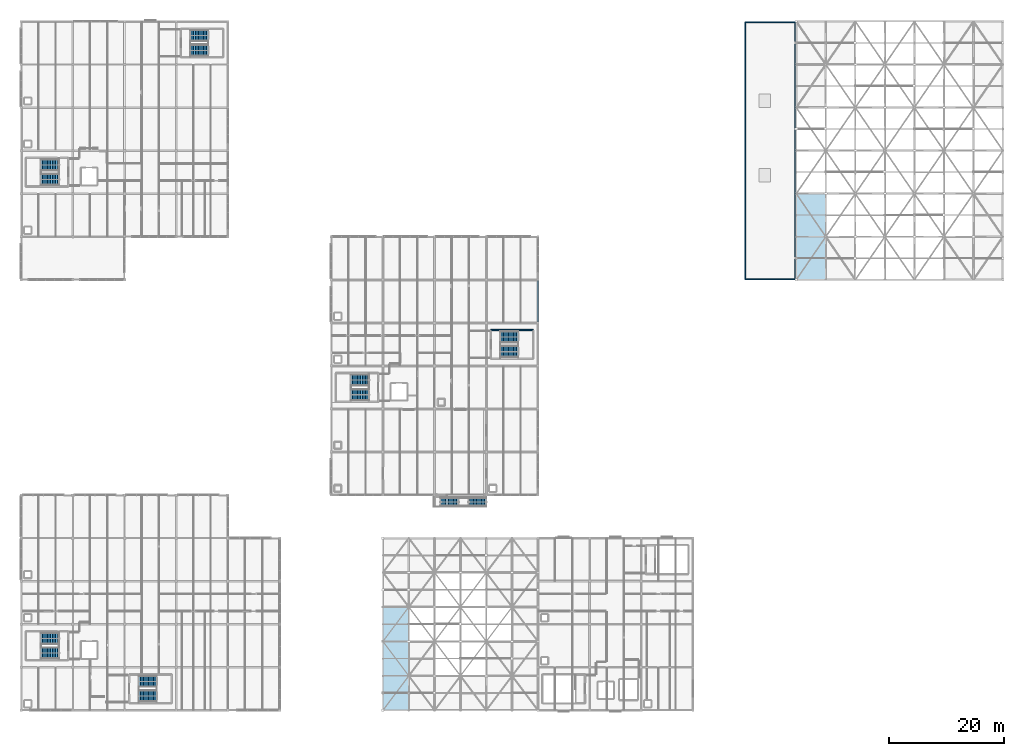
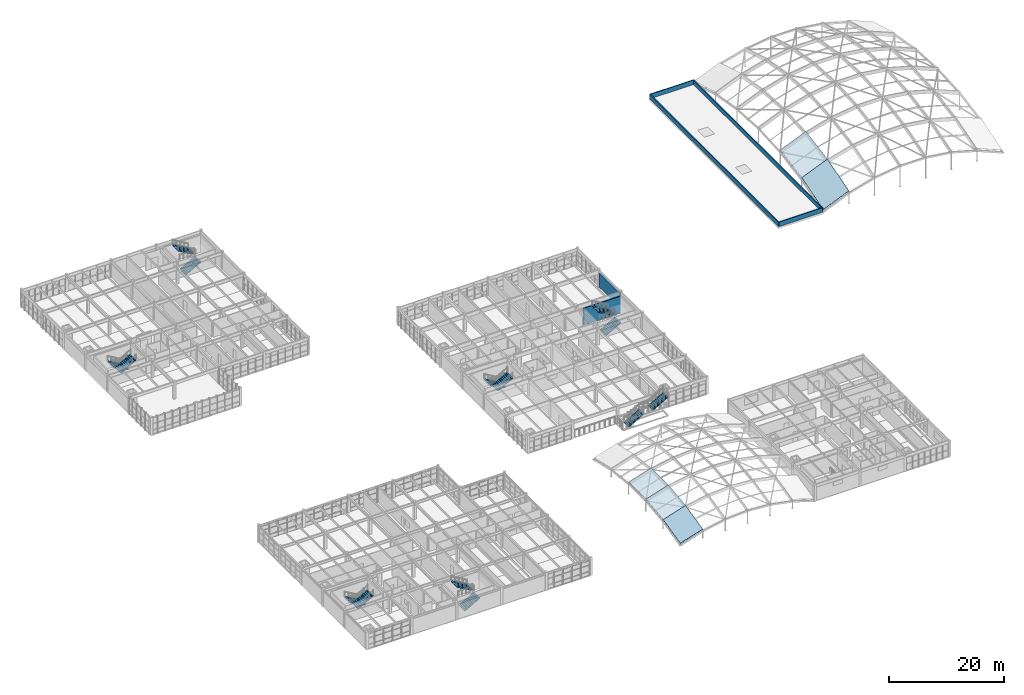
# One storey, part 78 of 81: 14 stair flights, 6 walls, 5 roofs, 7 elements without a shape of their own.
"""IFC4 building model written with IfcOpenShell, lengths in metres."""

from ifc_helpers import new_model, si_unit, direction, frame, frame_2d, origin, place, context, subcontext, project, spatial, polyline, rectangle, outline, extrude, material, layer, layer_set, type_object, element, aggregate, save


model = new_model("IFC4")

# Units and contexts
model_context = context("Model", 3, precision=1e-05, world=origin(), true_north=direction((0.0, 1.0)))
body_context = subcontext(model_context, "Body", "Model", "MODEL_VIEW")
ifc_project = project(units=[si_unit("LENGTHUNIT", "METRE"), si_unit("AREAUNIT", "SQUARE_METRE"), si_unit("VOLUMEUNIT", "CUBIC_METRE"), si_unit("PLANEANGLEUNIT", "RADIAN"), si_unit("MASSUNIT", "GRAM", prefix="KILO")], contexts=[model_context])

# Site, building, storey
site_placement = place(None, origin())
site = spatial("IfcSite", under=ifc_project, at=site_placement, CompositionType="ELEMENT")
building_placement = place(site_placement, origin())
building = spatial("IfcBuilding", under=site, at=building_placement, Name="Marnridge Secondary College", CompositionType="ELEMENT")
storey_placement = place(building_placement, frame((0.0, 0.0, 8.5)))
storey = spatial("IfcBuildingStorey", under=building, at=storey_placement, Name="L02", CompositionType="ELEMENT", Elevation=8.5)

# Walls
ifc_material_1 = material(Name="Concrete C40/50 (AS 3600 N40, 40 MPa)", Category="concrete")
ifc_layer_1 = layer(ifc_material_1, 0.199951171875)
ifc_layer_set_1 = layer_set([ifc_layer_1], Name="WT-CORE-RC200")
wall_type_1 = type_object("IfcWallType", Name="WT-CORE-RC200", PredefinedType="SHEAR", material=ifc_layer_set_1)
wall_1_placement = place(storey_placement, frame((89.199951171875, 66.25, 0.0), z_axis=(0.0, 0.0, 1.0), x_axis=(-1.0, 0.0, 0.0)))
element("IfcWall", 1, at=wall_1_placement, inside=storey, type_object=wall_type_1, Name="Stair core shear wall WC-L02-0283", PredefinedType="SHEAR", context=body_context, shape_type="SweptSolid", body=[
    extrude(rectangle(XDim=7.39990234375, YDim=0.199951171875, at=frame_2d((3.699951171875, 0.0))), origin(), (0.0, 0.0, 1.0), 3.570068359375),
])
ifc_material_2 = material(Name="Cross-laminated timber CL5", Category="wood")
ifc_layer_2 = layer(ifc_material_2, 0.239990234375)
ifc_layer_set_2 = layer_set([ifc_layer_2], Name="WT-EXT-CLT240")
wall_type_2 = type_object("IfcWallType", Name="WT-EXT-CLT240", PredefinedType="SOLIDWALL", material=ifc_layer_set_2)
wall_2_placement = place(storey_placement, frame((90.0, 74.803955078125, 0.0), z_axis=(0.0, 0.0, 1.0), x_axis=(0.0, -1.0, 0.0)))
element("IfcWall", 2, at=wall_2_placement, inside=storey, type_object=wall_type_2, Name="Exterior wall WE-L02-0127", PredefinedType="SOLIDWALL", context=body_context, shape_type="SweptSolid", body=[
    extrude(rectangle(XDim=7.0830078125, YDim=0.239990234375, at=frame_2d((3.54150390625, 0.0))), origin(), (0.0, 0.0, 1.0), 2.97705078125),
])
ifc_material_3 = material(Name="Precast concrete C40/50 (AS 3600 N40, 40 MPa)", Category="concrete")
ifc_layer_3 = layer(ifc_material_3, 0.179931640625)
ifc_layer_set_3 = layer_set([ifc_layer_3], Name="WT-PAR-RC180")
wall_type_3 = type_object("IfcWallType", Name="WT-PAR-RC180", PredefinedType="PARAPET", material=ifc_layer_set_3)
for number, where, z_axis, x_axis, name in (
    (3, (126.10009765625, 119.8798828125, 0.0), (0.0, 0.0, 1.0), (1.0, 0.0, 0.0), "Roof parapet WP-001"),
    (4, (134.89990234375, 75.1201171875, 0.0), (0.0, 0.0, 1.0), (-1.0, 0.0, 0.0), "Roof parapet WP-003"),
):
    element("IfcWall", number, at=place(storey_placement, frame(where, z_axis=z_axis, x_axis=x_axis)), inside=storey, type_object=wall_type_3, Name=name, PredefinedType="PARAPET", context=body_context, shape_type="SweptSolid", body=[
        extrude(rectangle(XDim=8.7998046875, YDim=0.179931640625, at=frame_2d((4.39990234375, 0.0))), origin(), (0.0, 0.0, 1.0), 0.949951171875),
    ])
ifc_material_4 = material(Name="Precast concrete C40/50 (AS 3600 N40, 40 MPa)", Category="concrete")
ifc_layer_4 = layer(ifc_material_4, 0.199951171875)
ifc_layer_set_4 = layer_set([ifc_layer_4], Name="WT-PAR-RC200")
wall_type_4 = type_object("IfcWallType", Name="WT-PAR-RC200", PredefinedType="PARAPET", material=ifc_layer_set_4)
for number, where, z_axis, x_axis, name in (
    (5, (134.8798828125, 119.89990234375, 0.0), (0.0, 0.0, 1.0), (0.0, -1.0, 0.0), "Roof parapet WP-002"),
    (6, (126.1201171875, 75.10009765625, 0.0), (0.0, 0.0, 1.0), (0.0, 1.0, 0.0), "Roof parapet WP-004"),
):
    element("IfcWall", number, at=place(storey_placement, frame(where, z_axis=z_axis, x_axis=x_axis)), inside=storey, type_object=wall_type_4, Name=name, PredefinedType="PARAPET", context=body_context, shape_type="SweptSolid", body=[
        extrude(rectangle(XDim=44.7998046875, YDim=0.199951171875, at=frame_2d((22.39990234375, 0.0))), origin(), (0.0, 0.0, 1.0), 0.949951171875),
    ])

# Stair, stair flights
ifc_material_5 = material(Name="Concrete C40/50 (AS 3600 N40, 40 MPa)", Category="concrete")
stair_type_1 = type_object("IfcStairType", Name="STC1", PredefinedType="HALF_TURN_STAIR", material=ifc_material_5)
stair_1_placement = place(storey_placement, origin())
stair_1 = element("IfcStair", 7, at=stair_1_placement, inside=storey, type_object=stair_type_1, Name="Fire-isolated stair ST-01-L02", PredefinedType="HALF_TURN_STAIR")
ifc_material_6 = material(Name="Concrete C40/50 (AS 3600 N40, 40 MPa)", Category="concrete")
stair_flight_type_1 = type_object("IfcStairFlightType", Name="SFC1", PredefinedType="STRAIGHT", material=ifc_material_6)
stair_flight_1_placement = place(storey_placement, frame((60.550048828125, 57.530029296875, 0.0), z_axis=(0.0, 0.0, 1.0), x_axis=(-1.0, 0.0, 0.0)))
stair_flight_1 = element("IfcStairFlight", 8, at=stair_flight_1_placement, type_object=stair_flight_type_1, Name="ST-01-L02 flight 1", NumberOfRisers=12, NumberOfTreads=11, PredefinedType="STRAIGHT", RiserHeight=0.158333333, TreadLength=0.285, context=body_context, shape_type="SweptSolid", body=[
    extrude(outline(polyline([(0.0, 0.0), (0.0, 0.158447265625), (0.284912109375, 0.158447265625), (0.284912109375, 0.316650390625), (0.570068359375, 0.316650390625), (0.570068359375, 0.47509765625), (0.85498046875, 0.47509765625), (0.85498046875, 0.63330078125), (1.139892578125, 0.63330078125), (1.139892578125, 0.791748046875), (1.425048828125, 0.791748046875), (1.425048828125, 0.949951171875), (1.7099609375, 0.949951171875), (1.7099609375, 1.1083984375), (1.9951171875, 1.1083984375), (1.9951171875, 1.2666015625), (2.280029296875, 1.2666015625), (2.280029296875, 1.425048828125), (2.56494140625, 1.425048828125), (2.56494140625, 1.583251953125), (2.85009765625, 1.583251953125), (2.85009765625, 1.74169921875), (3.135009765625, 1.74169921875), (3.135009765625, 1.89990234375), (3.135009765625, 1.535888671875), (0.37060546875, 0.0), (0.0, 0.0)])), frame((0.0, 1.0, 0.0), z_axis=(0.0, -1.0, 0.0), x_axis=(1.0, 0.0, 0.0)), (0.0, 0.0, 1.0), 2.0),
])
stair_flight_2_placement = place(storey_placement, frame((57.4150390625, 54.969970703125, 1.89990234375), z_axis=(0.0, 0.0, 1.0), x_axis=(1.0, 0.0, 0.0)))
stair_flight_2 = element("IfcStairFlight", 9, at=stair_flight_2_placement, type_object=stair_flight_type_1, Name="ST-01-L02 flight 2", NumberOfRisers=12, NumberOfTreads=11, PredefinedType="STRAIGHT", RiserHeight=0.158333333, TreadLength=0.285, context=body_context, shape_type="SweptSolid", body=[
    extrude(outline(polyline([(0.0, 0.0), (0.0, 0.158447265625), (0.284912109375, 0.158447265625), (0.284912109375, 0.316650390625), (0.570068359375, 0.316650390625), (0.570068359375, 0.47509765625), (0.85498046875, 0.47509765625), (0.85498046875, 0.63330078125), (1.139892578125, 0.63330078125), (1.139892578125, 0.791748046875), (1.425048828125, 0.791748046875), (1.425048828125, 0.949951171875), (1.7099609375, 0.949951171875), (1.7099609375, 1.1083984375), (1.9951171875, 1.1083984375), (1.9951171875, 1.2666015625), (2.280029296875, 1.2666015625), (2.280029296875, 1.425048828125), (2.56494140625, 1.425048828125), (2.56494140625, 1.583251953125), (2.85009765625, 1.583251953125), (2.85009765625, 1.74169921875), (3.135009765625, 1.74169921875), (3.135009765625, 1.89990234375), (3.135009765625, 1.535888671875), (0.37060546875, 0.0), (0.0, 0.0)])), frame((0.0, 1.0, 0.0), z_axis=(0.0, -1.0, 0.0), x_axis=(1.0, 0.0, 0.0)), (0.0, 0.0, 1.0), 2.0),
])
aggregate(stair_1, [stair_flight_1, stair_flight_2])

stair_2_placement = place(storey_placement, origin())
stair_2 = element("IfcStair", 10, at=stair_2_placement, inside=storey, type_object=stair_type_1, Name="Fire-isolated stair ST-02-L02", PredefinedType="HALF_TURN_STAIR")
stair_flight_3_placement = place(storey_placement, frame((83.449951171875, 62.469970703125, 0.0), z_axis=(0.0, 0.0, 1.0), x_axis=(1.0, 0.0, 0.0)))
stair_flight_3 = element("IfcStairFlight", 11, at=stair_flight_3_placement, type_object=stair_flight_type_1, Name="ST-02-L02 flight 1", NumberOfRisers=12, NumberOfTreads=11, PredefinedType="STRAIGHT", RiserHeight=0.158333333, TreadLength=0.285, context=body_context, shape_type="SweptSolid", body=[
    extrude(outline(polyline([(0.0, 0.0), (0.0, 0.158447265625), (0.284912109375, 0.158447265625), (0.284912109375, 0.316650390625), (0.570068359375, 0.316650390625), (0.570068359375, 0.47509765625), (0.85498046875, 0.47509765625), (0.85498046875, 0.63330078125), (1.139892578125, 0.63330078125), (1.139892578125, 0.791748046875), (1.425048828125, 0.791748046875), (1.425048828125, 0.949951171875), (1.7099609375, 0.949951171875), (1.7099609375, 1.1083984375), (1.9951171875, 1.1083984375), (1.9951171875, 1.2666015625), (2.280029296875, 1.2666015625), (2.280029296875, 1.425048828125), (2.56494140625, 1.425048828125), (2.56494140625, 1.583251953125), (2.85009765625, 1.583251953125), (2.85009765625, 1.74169921875), (3.135009765625, 1.74169921875), (3.135009765625, 1.89990234375), (3.135009765625, 1.535888671875), (0.37060546875, 0.0), (0.0, 0.0)])), frame((0.0, 1.0, 0.0), z_axis=(0.0, -1.0, 0.0), x_axis=(1.0, 0.0, 0.0)), (0.0, 0.0, 1.0), 2.0),
])
stair_flight_4_placement = place(storey_placement, frame((86.5849609375, 65.030029296875, 1.89990234375), z_axis=(0.0, 0.0, 1.0), x_axis=(-1.0, 0.0, 0.0)))
stair_flight_4 = element("IfcStairFlight", 12, at=stair_flight_4_placement, type_object=stair_flight_type_1, Name="ST-02-L02 flight 2", NumberOfRisers=12, NumberOfTreads=11, PredefinedType="STRAIGHT", RiserHeight=0.158333333, TreadLength=0.285, context=body_context, shape_type="SweptSolid", body=[
    extrude(outline(polyline([(0.0, 0.0), (0.0, 0.158447265625), (0.284912109375, 0.158447265625), (0.284912109375, 0.316650390625), (0.570068359375, 0.316650390625), (0.570068359375, 0.47509765625), (0.85498046875, 0.47509765625), (0.85498046875, 0.63330078125), (1.139892578125, 0.63330078125), (1.139892578125, 0.791748046875), (1.425048828125, 0.791748046875), (1.425048828125, 0.949951171875), (1.7099609375, 0.949951171875), (1.7099609375, 1.1083984375), (1.9951171875, 1.1083984375), (1.9951171875, 1.2666015625), (2.280029296875, 1.2666015625), (2.280029296875, 1.425048828125), (2.56494140625, 1.425048828125), (2.56494140625, 1.583251953125), (2.85009765625, 1.583251953125), (2.85009765625, 1.74169921875), (3.135009765625, 1.74169921875), (3.135009765625, 1.89990234375), (3.135009765625, 1.535888671875), (0.37060546875, 0.0), (0.0, 0.0)])), frame((0.0, 1.0, 0.0), z_axis=(0.0, -1.0, 0.0), x_axis=(1.0, 0.0, 0.0)), (0.0, 0.0, 1.0), 2.0),
])
aggregate(stair_2, [stair_flight_3, stair_flight_4])

stair_3_placement = place(storey_placement, origin())
stair_3 = element("IfcStair", 13, at=stair_3_placement, inside=storey, type_object=stair_type_1, Name="Fire-isolated stair ST-03-L02", PredefinedType="HALF_TURN_STAIR")
stair_flight_5_placement = place(storey_placement, frame((6.550048828125, 12.530029296875, 0.0), z_axis=(0.0, 0.0, 1.0), x_axis=(-1.0, 0.0, 0.0)))
stair_flight_5 = element("IfcStairFlight", 14, at=stair_flight_5_placement, type_object=stair_flight_type_1, Name="ST-03-L02 flight 1", NumberOfRisers=12, NumberOfTreads=11, PredefinedType="STRAIGHT", RiserHeight=0.158333333, TreadLength=0.285, context=body_context, shape_type="SweptSolid", body=[
    extrude(outline(polyline([(0.0, 0.0), (0.0, 0.158447265625), (0.284912109375, 0.158447265625), (0.284912109375, 0.316650390625), (0.570068359375, 0.316650390625), (0.570068359375, 0.47509765625), (0.85498046875, 0.47509765625), (0.85498046875, 0.63330078125), (1.139892578125, 0.63330078125), (1.139892578125, 0.791748046875), (1.425048828125, 0.791748046875), (1.425048828125, 0.949951171875), (1.7099609375, 0.949951171875), (1.7099609375, 1.1083984375), (1.9951171875, 1.1083984375), (1.9951171875, 1.2666015625), (2.280029296875, 1.2666015625), (2.280029296875, 1.425048828125), (2.56494140625, 1.425048828125), (2.56494140625, 1.583251953125), (2.85009765625, 1.583251953125), (2.85009765625, 1.74169921875), (3.135009765625, 1.74169921875), (3.135009765625, 1.89990234375), (3.135009765625, 1.535888671875), (0.37060546875, 0.0), (0.0, 0.0)])), frame((0.0, 1.0, 0.0), z_axis=(0.0, -1.0, 0.0), x_axis=(1.0, 0.0, 0.0)), (0.0, 0.0, 1.0), 2.0),
])
stair_flight_6_placement = place(storey_placement, frame((3.4150390625, 9.969970703125, 1.89990234375), z_axis=(0.0, 0.0, 1.0), x_axis=(1.0, 0.0, 0.0)))
stair_flight_6 = element("IfcStairFlight", 15, at=stair_flight_6_placement, type_object=stair_flight_type_1, Name="ST-03-L02 flight 2", NumberOfRisers=12, NumberOfTreads=11, PredefinedType="STRAIGHT", RiserHeight=0.158333333, TreadLength=0.285, context=body_context, shape_type="SweptSolid", body=[
    extrude(outline(polyline([(0.0, 0.0), (0.0, 0.158447265625), (0.284912109375, 0.158447265625), (0.284912109375, 0.316650390625), (0.570068359375, 0.316650390625), (0.570068359375, 0.47509765625), (0.85498046875, 0.47509765625), (0.85498046875, 0.63330078125), (1.139892578125, 0.63330078125), (1.139892578125, 0.791748046875), (1.425048828125, 0.791748046875), (1.425048828125, 0.949951171875), (1.7099609375, 0.949951171875), (1.7099609375, 1.1083984375), (1.9951171875, 1.1083984375), (1.9951171875, 1.2666015625), (2.280029296875, 1.2666015625), (2.280029296875, 1.425048828125), (2.56494140625, 1.425048828125), (2.56494140625, 1.583251953125), (2.85009765625, 1.583251953125), (2.85009765625, 1.74169921875), (3.135009765625, 1.74169921875), (3.135009765625, 1.89990234375), (3.135009765625, 1.535888671875), (0.37060546875, 0.0), (0.0, 0.0)])), frame((0.0, 1.0, 0.0), z_axis=(0.0, -1.0, 0.0), x_axis=(1.0, 0.0, 0.0)), (0.0, 0.0, 1.0), 2.0),
])
aggregate(stair_3, [stair_flight_5, stair_flight_6])

stair_4_placement = place(storey_placement, origin())
stair_4 = element("IfcStair", 16, at=stair_4_placement, inside=storey, type_object=stair_type_1, Name="Fire-isolated stair ST-04-L02", PredefinedType="HALF_TURN_STAIR")
stair_flight_7_placement = place(storey_placement, frame((20.449951171875, 2.469970703125, 0.0), z_axis=(0.0, 0.0, 1.0), x_axis=(1.0, 0.0, 0.0)))
stair_flight_7 = element("IfcStairFlight", 17, at=stair_flight_7_placement, type_object=stair_flight_type_1, Name="ST-04-L02 flight 1", NumberOfRisers=12, NumberOfTreads=11, PredefinedType="STRAIGHT", RiserHeight=0.158333333, TreadLength=0.285, context=body_context, shape_type="SweptSolid", body=[
    extrude(outline(polyline([(0.0, 0.0), (0.0, 0.158447265625), (0.284912109375, 0.158447265625), (0.284912109375, 0.316650390625), (0.570068359375, 0.316650390625), (0.570068359375, 0.47509765625), (0.85498046875, 0.47509765625), (0.85498046875, 0.63330078125), (1.139892578125, 0.63330078125), (1.139892578125, 0.791748046875), (1.425048828125, 0.791748046875), (1.425048828125, 0.949951171875), (1.7099609375, 0.949951171875), (1.7099609375, 1.1083984375), (1.9951171875, 1.1083984375), (1.9951171875, 1.2666015625), (2.280029296875, 1.2666015625), (2.280029296875, 1.425048828125), (2.56494140625, 1.425048828125), (2.56494140625, 1.583251953125), (2.85009765625, 1.583251953125), (2.85009765625, 1.74169921875), (3.135009765625, 1.74169921875), (3.135009765625, 1.89990234375), (3.135009765625, 1.535888671875), (0.37060546875, 0.0), (0.0, 0.0)])), frame((0.0, 1.0, 0.0), z_axis=(0.0, -1.0, 0.0), x_axis=(1.0, 0.0, 0.0)), (0.0, 0.0, 1.0), 2.0),
])
stair_flight_8_placement = place(storey_placement, frame((23.5849609375, 5.030029296875, 1.89990234375), z_axis=(0.0, 0.0, 1.0), x_axis=(-1.0, 0.0, 0.0)))
stair_flight_8 = element("IfcStairFlight", 18, at=stair_flight_8_placement, type_object=stair_flight_type_1, Name="ST-04-L02 flight 2", NumberOfRisers=12, NumberOfTreads=11, PredefinedType="STRAIGHT", RiserHeight=0.158333333, TreadLength=0.285, context=body_context, shape_type="SweptSolid", body=[
    extrude(outline(polyline([(0.0, 0.0), (0.0, 0.158447265625), (0.284912109375, 0.158447265625), (0.284912109375, 0.316650390625), (0.570068359375, 0.316650390625), (0.570068359375, 0.47509765625), (0.85498046875, 0.47509765625), (0.85498046875, 0.63330078125), (1.139892578125, 0.63330078125), (1.139892578125, 0.791748046875), (1.425048828125, 0.791748046875), (1.425048828125, 0.949951171875), (1.7099609375, 0.949951171875), (1.7099609375, 1.1083984375), (1.9951171875, 1.1083984375), (1.9951171875, 1.2666015625), (2.280029296875, 1.2666015625), (2.280029296875, 1.425048828125), (2.56494140625, 1.425048828125), (2.56494140625, 1.583251953125), (2.85009765625, 1.583251953125), (2.85009765625, 1.74169921875), (3.135009765625, 1.74169921875), (3.135009765625, 1.89990234375), (3.135009765625, 1.535888671875), (0.37060546875, 0.0), (0.0, 0.0)])), frame((0.0, 1.0, 0.0), z_axis=(0.0, -1.0, 0.0), x_axis=(1.0, 0.0, 0.0)), (0.0, 0.0, 1.0), 2.0),
])
aggregate(stair_4, [stair_flight_7, stair_flight_8])

stair_5_placement = place(storey_placement, origin())
stair_5 = element("IfcStair", 19, at=stair_5_placement, inside=storey, type_object=stair_type_1, Name="Fire-isolated stair ST-05-L02", PredefinedType="HALF_TURN_STAIR")
stair_flight_9_placement = place(storey_placement, frame((6.550048828125, 95.030029296875, 0.0), z_axis=(0.0, 0.0, 1.0), x_axis=(-1.0, 0.0, 0.0)))
stair_flight_9 = element("IfcStairFlight", 20, at=stair_flight_9_placement, type_object=stair_flight_type_1, Name="ST-05-L02 flight 1", NumberOfRisers=12, NumberOfTreads=11, PredefinedType="STRAIGHT", RiserHeight=0.158333333, TreadLength=0.285, context=body_context, shape_type="SweptSolid", body=[
    extrude(outline(polyline([(0.0, 0.0), (0.0, 0.158447265625), (0.284912109375, 0.158447265625), (0.284912109375, 0.316650390625), (0.570068359375, 0.316650390625), (0.570068359375, 0.47509765625), (0.85498046875, 0.47509765625), (0.85498046875, 0.63330078125), (1.139892578125, 0.63330078125), (1.139892578125, 0.791748046875), (1.425048828125, 0.791748046875), (1.425048828125, 0.949951171875), (1.7099609375, 0.949951171875), (1.7099609375, 1.1083984375), (1.9951171875, 1.1083984375), (1.9951171875, 1.2666015625), (2.280029296875, 1.2666015625), (2.280029296875, 1.425048828125), (2.56494140625, 1.425048828125), (2.56494140625, 1.583251953125), (2.85009765625, 1.583251953125), (2.85009765625, 1.74169921875), (3.135009765625, 1.74169921875), (3.135009765625, 1.89990234375), (3.135009765625, 1.535888671875), (0.37060546875, 0.0), (0.0, 0.0)])), frame((0.0, 1.0, 0.0), z_axis=(0.0, -1.0, 0.0), x_axis=(1.0, 0.0, 0.0)), (0.0, 0.0, 1.0), 2.0),
])
stair_flight_10_placement = place(storey_placement, frame((3.4150390625, 92.469970703125, 1.89990234375), z_axis=(0.0, 0.0, 1.0), x_axis=(1.0, 0.0, 0.0)))
stair_flight_10 = element("IfcStairFlight", 21, at=stair_flight_10_placement, type_object=stair_flight_type_1, Name="ST-05-L02 flight 2", NumberOfRisers=12, NumberOfTreads=11, PredefinedType="STRAIGHT", RiserHeight=0.158333333, TreadLength=0.285, context=body_context, shape_type="SweptSolid", body=[
    extrude(outline(polyline([(0.0, 0.0), (0.0, 0.158447265625), (0.284912109375, 0.158447265625), (0.284912109375, 0.316650390625), (0.570068359375, 0.316650390625), (0.570068359375, 0.47509765625), (0.85498046875, 0.47509765625), (0.85498046875, 0.63330078125), (1.139892578125, 0.63330078125), (1.139892578125, 0.791748046875), (1.425048828125, 0.791748046875), (1.425048828125, 0.949951171875), (1.7099609375, 0.949951171875), (1.7099609375, 1.1083984375), (1.9951171875, 1.1083984375), (1.9951171875, 1.2666015625), (2.280029296875, 1.2666015625), (2.280029296875, 1.425048828125), (2.56494140625, 1.425048828125), (2.56494140625, 1.583251953125), (2.85009765625, 1.583251953125), (2.85009765625, 1.74169921875), (3.135009765625, 1.74169921875), (3.135009765625, 1.89990234375), (3.135009765625, 1.535888671875), (0.37060546875, 0.0), (0.0, 0.0)])), frame((0.0, 1.0, 0.0), z_axis=(0.0, -1.0, 0.0), x_axis=(1.0, 0.0, 0.0)), (0.0, 0.0, 1.0), 2.0),
])
aggregate(stair_5, [stair_flight_9, stair_flight_10])

stair_6_placement = place(storey_placement, origin())
stair_6 = element("IfcStair", 22, at=stair_6_placement, inside=storey, type_object=stair_type_1, Name="Fire-isolated stair ST-06-L02", PredefinedType="HALF_TURN_STAIR")
stair_flight_11_placement = place(storey_placement, frame((29.449951171875, 114.969970703125, 0.0), z_axis=(0.0, 0.0, 1.0), x_axis=(1.0, 0.0, 0.0)))
stair_flight_11 = element("IfcStairFlight", 23, at=stair_flight_11_placement, type_object=stair_flight_type_1, Name="ST-06-L02 flight 1", NumberOfRisers=12, NumberOfTreads=11, PredefinedType="STRAIGHT", RiserHeight=0.158333333, TreadLength=0.285, context=body_context, shape_type="SweptSolid", body=[
    extrude(outline(polyline([(0.0, 0.0), (0.0, 0.158447265625), (0.284912109375, 0.158447265625), (0.284912109375, 0.316650390625), (0.570068359375, 0.316650390625), (0.570068359375, 0.47509765625), (0.85498046875, 0.47509765625), (0.85498046875, 0.63330078125), (1.139892578125, 0.63330078125), (1.139892578125, 0.791748046875), (1.425048828125, 0.791748046875), (1.425048828125, 0.949951171875), (1.7099609375, 0.949951171875), (1.7099609375, 1.1083984375), (1.9951171875, 1.1083984375), (1.9951171875, 1.2666015625), (2.280029296875, 1.2666015625), (2.280029296875, 1.425048828125), (2.56494140625, 1.425048828125), (2.56494140625, 1.583251953125), (2.85009765625, 1.583251953125), (2.85009765625, 1.74169921875), (3.135009765625, 1.74169921875), (3.135009765625, 1.89990234375), (3.135009765625, 1.535888671875), (0.37060546875, 0.0), (0.0, 0.0)])), frame((0.0, 1.0, 0.0), z_axis=(0.0, -1.0, 0.0), x_axis=(1.0, 0.0, 0.0)), (0.0, 0.0, 1.0), 2.0),
])
stair_flight_12_placement = place(storey_placement, frame((32.5849609375, 117.530029296875, 1.89990234375), z_axis=(0.0, 0.0, 1.0), x_axis=(-1.0, 0.0, 0.0)))
stair_flight_12 = element("IfcStairFlight", 24, at=stair_flight_12_placement, type_object=stair_flight_type_1, Name="ST-06-L02 flight 2", NumberOfRisers=12, NumberOfTreads=11, PredefinedType="STRAIGHT", RiserHeight=0.158333333, TreadLength=0.285, context=body_context, shape_type="SweptSolid", body=[
    extrude(outline(polyline([(0.0, 0.0), (0.0, 0.158447265625), (0.284912109375, 0.158447265625), (0.284912109375, 0.316650390625), (0.570068359375, 0.316650390625), (0.570068359375, 0.47509765625), (0.85498046875, 0.47509765625), (0.85498046875, 0.63330078125), (1.139892578125, 0.63330078125), (1.139892578125, 0.791748046875), (1.425048828125, 0.791748046875), (1.425048828125, 0.949951171875), (1.7099609375, 0.949951171875), (1.7099609375, 1.1083984375), (1.9951171875, 1.1083984375), (1.9951171875, 1.2666015625), (2.280029296875, 1.2666015625), (2.280029296875, 1.425048828125), (2.56494140625, 1.425048828125), (2.56494140625, 1.583251953125), (2.85009765625, 1.583251953125), (2.85009765625, 1.74169921875), (3.135009765625, 1.74169921875), (3.135009765625, 1.89990234375), (3.135009765625, 1.535888671875), (0.37060546875, 0.0), (0.0, 0.0)])), frame((0.0, 1.0, 0.0), z_axis=(0.0, -1.0, 0.0), x_axis=(1.0, 0.0, 0.0)), (0.0, 0.0, 1.0), 2.0),
])
aggregate(stair_6, [stair_flight_11, stair_flight_12])

ifc_material_7 = material(Name="Precast concrete C40/50 (AS 3600 N40, 40 MPa)", Category="concrete")
stair_type_2 = type_object("IfcStairType", Name="STZ1", PredefinedType="STRAIGHT_RUN_STAIR", material=ifc_material_7)
stair_7_placement = place(storey_placement, origin())
stair_7 = element("IfcStair", 25, at=stair_7_placement, inside=storey, type_object=stair_type_2, Name="Exterior terrace stair ST-Z1", PredefinedType="STRAIGHT_RUN_STAIR")
ifc_material_8 = material(Name="Precast concrete C40/50 (AS 3600 N40, 40 MPa)", Category="concrete")
stair_flight_type_2 = type_object("IfcStairFlightType", Name="SFZ1", PredefinedType="STRAIGHT", material=ifc_material_8)
stair_flight_13_placement = place(storey_placement, frame((73.0400390625, 36.300048828125, 0.0), z_axis=(0.0, 0.0, 1.0), x_axis=(1.0, 0.0, 0.0)))
stair_flight_13 = element("IfcStairFlight", 26, at=stair_flight_13_placement, type_object=stair_flight_type_2, Name="ST-Z1 flight 1", NumberOfRisers=12, NumberOfTreads=11, PredefinedType="STRAIGHT", RiserHeight=0.158333333, TreadLength=0.28, context=body_context, shape_type="SweptSolid", body=[
    extrude(outline(polyline([(0.0, 0.0), (0.0, 0.158447265625), (0.280029296875, 0.158447265625), (0.280029296875, 0.316650390625), (0.56005859375, 0.316650390625), (0.56005859375, 0.47509765625), (0.840087890625, 0.47509765625), (0.840087890625, 0.63330078125), (1.1201171875, 0.63330078125), (1.1201171875, 0.791748046875), (1.39990234375, 0.791748046875), (1.39990234375, 0.949951171875), (1.679931640625, 0.949951171875), (1.679931640625, 1.1083984375), (1.9599609375, 1.1083984375), (1.9599609375, 1.2666015625), (2.239990234375, 1.2666015625), (2.239990234375, 1.425048828125), (2.52001953125, 1.425048828125), (2.52001953125, 1.583251953125), (2.800048828125, 1.583251953125), (2.800048828125, 1.74169921875), (3.080078125, 1.74169921875), (3.080078125, 1.89990234375), (3.080078125, 1.557861328125), (0.324951171875, 0.0), (0.0, 0.0)])), frame((0.0, 0.800048828125, 0.0), z_axis=(0.0, -1.0, 0.0), x_axis=(1.0, 0.0, 0.0)), (0.0, 0.0, 1.0), 1.60009765625),
])
stair_flight_14_placement = place(storey_placement, frame((77.919921875, 36.300048828125, 1.89990234375), z_axis=(0.0, 0.0, 1.0), x_axis=(1.0, 0.0, 0.0)))
stair_flight_14 = element("IfcStairFlight", 27, at=stair_flight_14_placement, type_object=stair_flight_type_2, Name="ST-Z1 flight 2", NumberOfRisers=12, NumberOfTreads=11, PredefinedType="STRAIGHT", RiserHeight=0.158333333, TreadLength=0.28, context=body_context, shape_type="SweptSolid", body=[
    extrude(outline(polyline([(0.0, 0.0), (0.0, 0.158447265625), (0.280029296875, 0.158447265625), (0.280029296875, 0.316650390625), (0.56005859375, 0.316650390625), (0.56005859375, 0.47509765625), (0.840087890625, 0.47509765625), (0.840087890625, 0.63330078125), (1.1201171875, 0.63330078125), (1.1201171875, 0.791748046875), (1.39990234375, 0.791748046875), (1.39990234375, 0.949951171875), (1.679931640625, 0.949951171875), (1.679931640625, 1.1083984375), (1.9599609375, 1.1083984375), (1.9599609375, 1.2666015625), (2.239990234375, 1.2666015625), (2.239990234375, 1.425048828125), (2.52001953125, 1.425048828125), (2.52001953125, 1.583251953125), (2.800048828125, 1.583251953125), (2.800048828125, 1.74169921875), (3.080078125, 1.74169921875), (3.080078125, 1.89990234375), (3.080078125, 1.557861328125), (0.324951171875, 0.0), (0.0, 0.0)])), frame((0.0, 0.800048828125, 0.0), z_axis=(0.0, -1.0, 0.0), x_axis=(1.0, 0.0, 0.0)), (0.0, 0.0, 1.0), 1.60009765625),
])
aggregate(stair_7, [stair_flight_13, stair_flight_14])

# Roofs
ifc_material_9 = material(Name="Standing-seam zinc roofing over R3.7 insulation", Category="steel")
ifc_layer_5 = layer(ifc_material_9, 0.080078125)
ifc_layer_set_5 = layer_set([ifc_layer_5], Name="RF-SHELL-1")
roof_type = type_object("IfcRoofType", Name="RF-SHELL-1", PredefinedType="FREEFORM", material=ifc_layer_set_5)
roof_1_placement = place(storey_placement, frame((135.0, 75.0, 0.550048828125), z_axis=(-0.372807720533, -0.263602093061, 0.889678784756), x_axis=(0.922299118379, 0.0, 0.386476824967)))
element("IfcRoof", 28, at=roof_1_placement, inside=storey, type_object=roof_type, Name="Gridshell roof cassette CVR-V2-0101", PredefinedType="FREEFORM", context=body_context, shape_type="SweptSolid", body=[
    extrude(outline(polyline([(0.0, 0.0), (5.576089321935026, 0.0), (6.434905743041356, 7.774989700068845), (0.8588164211063297, 7.774989700068845), (0.0, 0.0)])), origin(), (0.0, 0.0, -1.0), 0.080078125),
])
roof_2_placement = place(storey_placement, frame((135.0, 82.5, 2.772216796875), z_axis=(-0.381382985583, -0.161822958021, 0.910143037421), x_axis=(0.922299118379, 0.0, 0.386476824967)))
element("IfcRoof", 29, at=roof_2_placement, inside=storey, type_object=roof_type, Name="Gridshell roof cassette CVR-V2-0102", PredefinedType="FREEFORM", context=body_context, shape_type="SweptSolid", body=[
    extrude(outline(polyline([(0.0, 0.0), (5.576089321935027, 0.0), (6.091454658353701, 7.600171735037608), (0.5153653364186742, 7.600171735037608), (0.0, 0.0)])), origin(), (0.0, 0.0, -1.0), 0.080078125),
])
roof_3_placement = place(storey_placement, frame((63.0, 0.0, 0.382568359375), z_axis=(-0.298253735682, -0.218056452038, 0.929244904681), x_axis=(0.952157472021, 0.0, 0.305607834444)))
element("IfcRoof", 30, at=roof_3_placement, inside=storey, type_object=roof_type, Name="Gridshell roof cassette CVR-V3-0101", PredefinedType="FREEFORM", context=body_context, shape_type="SweptSolid", body=[
    extrude(outline(polyline([(0.0, 0.0), (4.726109002165947, -5.551115123125783e-17), (5.156392298367292, 6.147943134633922), (0.43028329620134503, 6.147943134633923), (0.0, 0.0)])), origin(), (0.0, 0.0, -1.0), 0.080078125),
])
roof_4_placement = place(storey_placement, frame((63.0, 6.0, 1.79052734375), z_axis=(-0.303741720179, -0.111025004243, 0.946263396659), x_axis=(0.952150048565, -2.713558e-06, 0.305630962127)))
element("IfcRoof", 31, at=roof_4_placement, inside=storey, type_object=roof_type, Name="Gridshell roof cassette CVR-V3-0102", PredefinedType="FREEFORM", context=body_context, shape_type="SweptSolid", body=[
    extrude(outline(polyline([(0.0, 0.0), (4.7261090007543505, 2.7755575615628914e-17), (4.941287957386338, 6.0373385703963125), (0.2151043396978746, 6.037312761488255), (0.0, 0.0)])), origin(), (0.0, 0.0, -1.0), 0.080078125),
])
roof_5_placement = place(storey_placement, frame((63.0, 12.0, 2.494384765625), z_axis=(-0.30565466654, 0.0, 0.952142439356), x_axis=(0.952142439356, 0.0, 0.30565466654)))
element("IfcRoof", 32, at=roof_5_placement, inside=storey, type_object=roof_type, Name="Gridshell roof cassette CVR-V3-0103", PredefinedType="FREEFORM", context=body_context, shape_type="SweptSolid", body=[
    extrude(outline(polyline([(0.0, 0.0), (4.726183619170507, 0.0), (4.726183619170507, 6.0), (0.0, 6.0), (0.0, 0.0)])), origin(), (0.0, 0.0, -1.0), 0.080078125),
])

save(model, "model.ifc")
